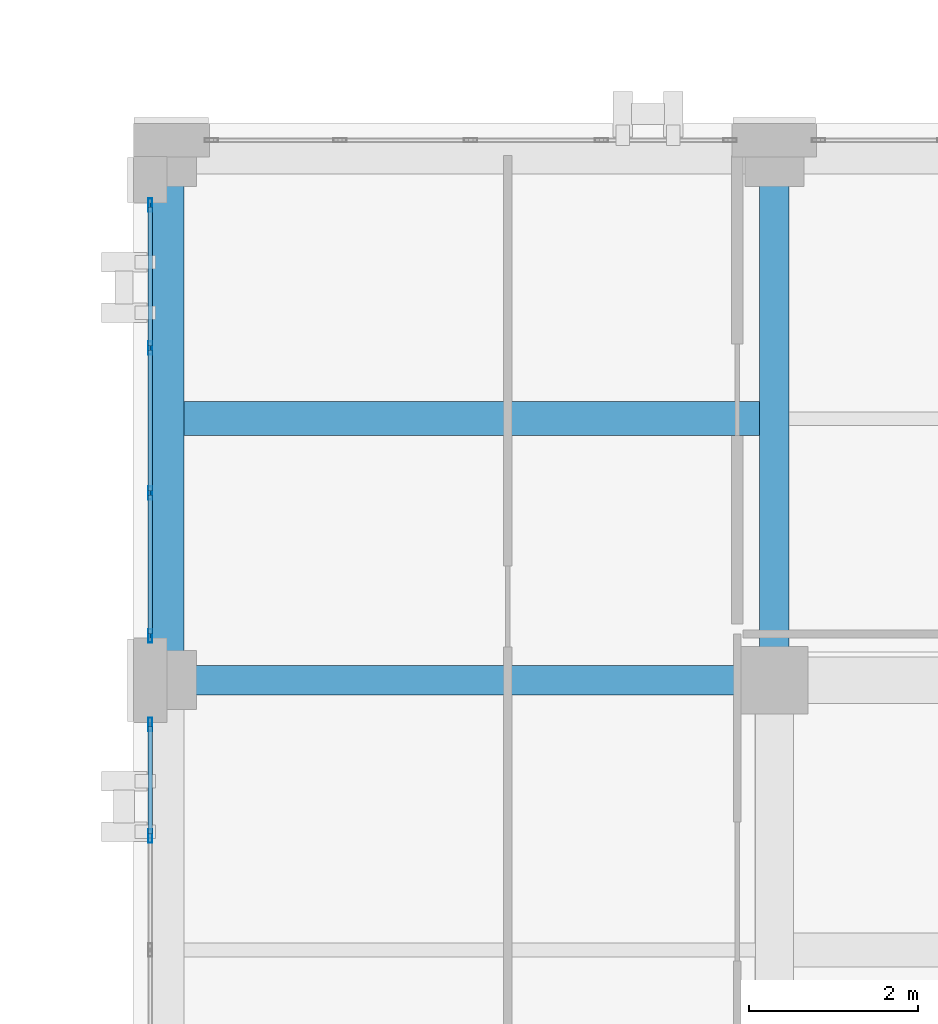
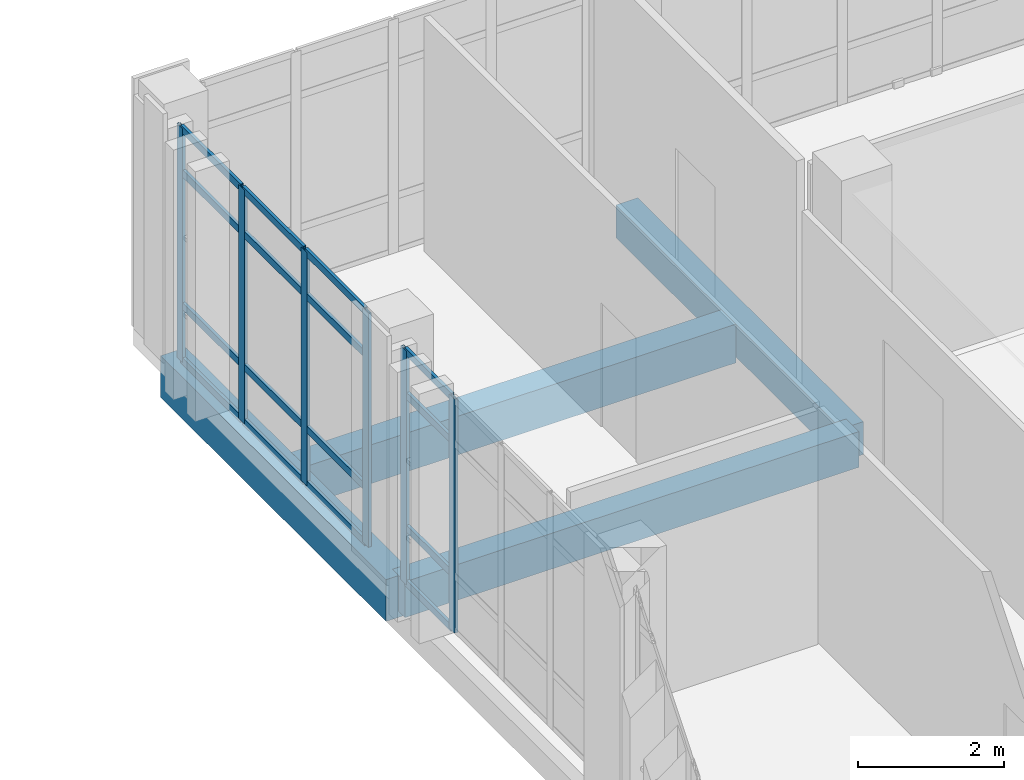
# One storey, part 100 of 158: 22 members, 4 beams, 2 elements without a shape of their own.
"""IFC4 building model written with IfcOpenShell, lengths in metres."""

from ifc_helpers import new_model, si_unit, direction, frame, origin, origin_2d, place, context, subcontext, project, spatial, rectangle, hollow_rectangle, extrude, material, layer, layer_set, material_profile, profile_set, type_object, element, aggregate, save


model = new_model("IFC4")

# Units and contexts
model_context = context("Model", 3, precision=1e-05, world=origin(), true_north=direction((0.0, 1.0)))
body_context = subcontext(model_context, "Body", "Model", "MODEL_VIEW")
ifc_project = project(units=[si_unit("LENGTHUNIT", "METRE"), si_unit("AREAUNIT", "SQUARE_METRE"), si_unit("VOLUMEUNIT", "CUBIC_METRE"), si_unit("PLANEANGLEUNIT", "RADIAN"), si_unit("MASSUNIT", "GRAM", prefix="KILO")], contexts=[model_context])

# Site, building, storey
site_placement = place(None, origin())
site = spatial("IfcSite", under=ifc_project, at=site_placement, CompositionType="ELEMENT")
building_placement = place(site_placement, origin())
building = spatial("IfcBuilding", under=site, at=building_placement, Name="Qalavern Law Courts", CompositionType="ELEMENT")
storey_placement = place(building_placement, frame((0.0, 0.0, 18.60009765625)))
storey = spatial("IfcBuildingStorey", under=building, at=storey_placement, Name="L04", CompositionType="ELEMENT", Elevation=18.60009765625)

# Curtain wall, members
ifc_material_1 = material(Name="Anodised aluminium and insulated glazing", Category="aluminium")
ifc_layer = layer(ifc_material_1, 0.159912109375)
ifc_layer_set = layer_set([ifc_layer], Name="Anodised aluminium and insulated glazing")
curtain_wall_type = type_object("IfcCurtainWallType", Name="ENV-CW-CHAMB", PredefinedType="USERDEFINED", material=ifc_layer_set)
curtain_wall_1_placement = place(storey_placement, origin())
curtain_wall_1 = element("IfcCurtainWall", 1, at=curtain_wall_1_placement, inside=storey, type_object=curtain_wall_type, Name="V4 unitised curtain wall L04 west 1", ObjectType="UNITISED CURTAIN WALL", PredefinedType="USERDEFINED")
ifc_material_2 = material(Name="Anodised aluminium", Category="aluminium")
ifc_material_profile_1 = material_profile(ifc_material_2, hollow_rectangle(XDim=0.048095703125, YDim=0.159912109375, WallThickness=0.00390625, at=origin_2d()), Name="ALU MULLION 48x160")
ifc_profile_set_1 = profile_set([ifc_material_profile_1], Name="Anodised aluminium")
member_type_1 = type_object("IfcMemberType", Name="ENV-CWM-48x160", PredefinedType="MULLION", material=ifc_profile_set_1)
member_1_placement = place(storey_placement, frame((84.39990234375, 84.8310546875, 0.0), z_axis=(0.0, 0.0, 1.0), x_axis=(1.0, 0.0, 0.0)))
member_1 = element("IfcMember", 2, at=member_1_placement, type_object=member_type_1, Name="CW-04 mullion 1", PredefinedType="MULLION", context=body_context, shape_type="SweptSolid", body=[
    extrude(hollow_rectangle(XDim=0.048095703125, YDim=0.159912109375, WallThickness=0.00390625, at=origin_2d()), origin(), (0.0, 0.0, 1.0), 3.9248046875),
])
member_2_placement = place(storey_placement, frame((84.39990234375, 83.13671875, 0.0), z_axis=(0.0, 0.0, 1.0), x_axis=(1.0, 0.0, 0.0)))
member_2 = element("IfcMember", 3, at=member_2_placement, type_object=member_type_1, Name="CW-04 mullion 2", PredefinedType="MULLION", context=body_context, shape_type="SweptSolid", body=[
    extrude(hollow_rectangle(XDim=0.048095703125, YDim=0.159912109375, WallThickness=0.00390625, at=origin_2d()), origin(), (0.0, 0.0, 1.0), 3.9248046875),
])
member_3_placement = place(storey_placement, frame((84.39990234375, 81.418212890625, 0.0), z_axis=(0.0, 0.0, 1.0), x_axis=(1.0, 0.0, 0.0)))
member_3 = element("IfcMember", 4, at=member_3_placement, type_object=member_type_1, Name="CW-04 mullion 3", PredefinedType="MULLION", context=body_context, shape_type="SweptSolid", body=[
    extrude(hollow_rectangle(XDim=0.048095703125, YDim=0.159912109375, WallThickness=0.00390625, at=origin_2d()), origin(), (0.0, 0.0, 1.0), 3.9248046875),
])
member_4_placement = place(storey_placement, frame((84.39990234375, 79.72412109375, 0.0), z_axis=(0.0, 0.0, 1.0), x_axis=(1.0, 0.0, 0.0)))
member_4 = element("IfcMember", 5, at=member_4_placement, type_object=member_type_1, Name="CW-04 mullion 4", PredefinedType="MULLION", context=body_context, shape_type="SweptSolid", body=[
    extrude(hollow_rectangle(XDim=0.048095703125, YDim=0.159912109375, WallThickness=0.00390625, at=origin_2d()), origin(), (0.0, 0.0, 1.0), 3.9248046875),
])

curtain_wall_2_placement = place(storey_placement, origin())
curtain_wall_2 = element("IfcCurtainWall", 6, at=curtain_wall_2_placement, inside=storey, type_object=curtain_wall_type, Name="V4 unitised curtain wall L04 west 2", ObjectType="UNITISED CURTAIN WALL", PredefinedType="USERDEFINED")
member_5_placement = place(storey_placement, frame((84.39990234375, 78.676025390625, 0.0), z_axis=(0.0, 0.0, 1.0), x_axis=(1.0, 0.0, 0.0)))
member_5 = element("IfcMember", 7, at=member_5_placement, type_object=member_type_1, Name="CW-04 mullion 1", PredefinedType="MULLION", context=body_context, shape_type="SweptSolid", body=[
    extrude(hollow_rectangle(XDim=0.048095703125, YDim=0.159912109375, WallThickness=0.00390625, at=origin_2d()), origin(), (0.0, 0.0, 1.0), 3.9248046875),
])
member_6_placement = place(storey_placement, frame((84.39990234375, 77.35009765625, 0.0), z_axis=(0.0, 0.0, 1.0), x_axis=(1.0, 0.0, 0.0)))
member_6 = element("IfcMember", 8, at=member_6_placement, type_object=member_type_1, Name="CW-04 mullion 2", PredefinedType="MULLION", context=body_context, shape_type="SweptSolid", body=[
    extrude(hollow_rectangle(XDim=0.048095703125, YDim=0.159912109375, WallThickness=0.00390625, at=origin_2d()), origin(), (0.0, 0.0, 1.0), 3.9248046875),
])

# Member
ifc_material_profile_2 = material_profile(ifc_material_2, hollow_rectangle(XDim=0.048095703125, YDim=0.1201171875, WallThickness=0.00390625, at=origin_2d()), Name="ALU TRANSOM 48x120")
ifc_profile_set_2 = profile_set([ifc_material_profile_2], Name="Anodised aluminium")
member_type_2 = type_object("IfcMemberType", Name="ENV-CWT-48x120", PredefinedType="USERDEFINED", material=ifc_profile_set_2)
member_7_placement = place(storey_placement, frame((84.39990234375, 84.806884765625, 0.02392578125), z_axis=(0.0, -1.0, 0.0), x_axis=(1.0, 0.0, 0.0)))
member_7 = element("IfcMember", 9, at=member_7_placement, type_object=member_type_2, Name="CW-04 transom 1.1", ObjectType="TRANSOM", PredefinedType="USERDEFINED", context=body_context, shape_type="SweptSolid", body=[
    extrude(hollow_rectangle(XDim=0.048095703125, YDim=0.1201171875, WallThickness=0.00390625, at=origin_2d()), origin(), (0.0, 0.0, 1.0), 1.646240234375),
])

member_8_placement = place(storey_placement, frame((84.39990234375, 84.806884765625, 0.949951171875), z_axis=(0.0, -1.0, 0.0), x_axis=(1.0, 0.0, 0.0)))
member_8 = element("IfcMember", 10, at=member_8_placement, type_object=member_type_2, Name="CW-04 transom 1.2", ObjectType="TRANSOM", PredefinedType="USERDEFINED", context=body_context, shape_type="SweptSolid", body=[
    extrude(hollow_rectangle(XDim=0.048095703125, YDim=0.1201171875, WallThickness=0.00390625, at=origin_2d()), origin(), (0.0, 0.0, 1.0), 1.646240234375),
])

member_9_placement = place(storey_placement, frame((84.39990234375, 84.806884765625, 3.1748046875), z_axis=(0.0, -1.0, 0.0), x_axis=(1.0, 0.0, 0.0)))
member_9 = element("IfcMember", 11, at=member_9_placement, type_object=member_type_2, Name="CW-04 transom 1.3", ObjectType="TRANSOM", PredefinedType="USERDEFINED", context=body_context, shape_type="SweptSolid", body=[
    extrude(hollow_rectangle(XDim=0.048095703125, YDim=0.1201171875, WallThickness=0.00390625, at=origin_2d()), origin(), (0.0, 0.0, 1.0), 1.646240234375),
])

member_10_placement = place(storey_placement, frame((84.39990234375, 84.806884765625, 3.90087890625), z_axis=(0.0, -1.0, 0.0), x_axis=(1.0, 0.0, 0.0)))
member_10 = element("IfcMember", 12, at=member_10_placement, type_object=member_type_2, Name="CW-04 transom 1.4", ObjectType="TRANSOM", PredefinedType="USERDEFINED", context=body_context, shape_type="SweptSolid", body=[
    extrude(hollow_rectangle(XDim=0.048095703125, YDim=0.1201171875, WallThickness=0.00390625, at=origin_2d()), origin(), (0.0, 0.0, 1.0), 1.646240234375),
])

member_11_placement = place(storey_placement, frame((84.39990234375, 83.112548828125, 0.02392578125), z_axis=(0.0, -1.0, 0.0), x_axis=(1.0, 0.0, 0.0)))
member_11 = element("IfcMember", 13, at=member_11_placement, type_object=member_type_2, Name="CW-04 transom 2.1", ObjectType="TRANSOM", PredefinedType="USERDEFINED", context=body_context, shape_type="SweptSolid", body=[
    extrude(hollow_rectangle(XDim=0.048095703125, YDim=0.1201171875, WallThickness=0.00390625, at=origin_2d()), origin(), (0.0, 0.0, 1.0), 1.670166015625),
])

member_12_placement = place(storey_placement, frame((84.39990234375, 83.112548828125, 0.949951171875), z_axis=(0.0, -1.0, 0.0), x_axis=(1.0, 0.0, 0.0)))
member_12 = element("IfcMember", 14, at=member_12_placement, type_object=member_type_2, Name="CW-04 transom 2.2", ObjectType="TRANSOM", PredefinedType="USERDEFINED", context=body_context, shape_type="SweptSolid", body=[
    extrude(hollow_rectangle(XDim=0.048095703125, YDim=0.1201171875, WallThickness=0.00390625, at=origin_2d()), origin(), (0.0, 0.0, 1.0), 1.670166015625),
])

member_13_placement = place(storey_placement, frame((84.39990234375, 83.112548828125, 3.1748046875), z_axis=(0.0, -1.0, 0.0), x_axis=(1.0, 0.0, 0.0)))
member_13 = element("IfcMember", 15, at=member_13_placement, type_object=member_type_2, Name="CW-04 transom 2.3", ObjectType="TRANSOM", PredefinedType="USERDEFINED", context=body_context, shape_type="SweptSolid", body=[
    extrude(hollow_rectangle(XDim=0.048095703125, YDim=0.1201171875, WallThickness=0.00390625, at=origin_2d()), origin(), (0.0, 0.0, 1.0), 1.670166015625),
])

member_14_placement = place(storey_placement, frame((84.39990234375, 83.112548828125, 3.90087890625), z_axis=(0.0, -1.0, 0.0), x_axis=(1.0, 0.0, 0.0)))
member_14 = element("IfcMember", 16, at=member_14_placement, type_object=member_type_2, Name="CW-04 transom 2.4", ObjectType="TRANSOM", PredefinedType="USERDEFINED", context=body_context, shape_type="SweptSolid", body=[
    extrude(hollow_rectangle(XDim=0.048095703125, YDim=0.1201171875, WallThickness=0.00390625, at=origin_2d()), origin(), (0.0, 0.0, 1.0), 1.670166015625),
])

member_15_placement = place(storey_placement, frame((84.39990234375, 81.394287109375, 0.02392578125), z_axis=(0.0, -1.0, 0.0), x_axis=(1.0, 0.0, 0.0)))
member_15 = element("IfcMember", 17, at=member_15_placement, type_object=member_type_2, Name="CW-04 transom 3.1", ObjectType="TRANSOM", PredefinedType="USERDEFINED", context=body_context, shape_type="SweptSolid", body=[
    extrude(hollow_rectangle(XDim=0.048095703125, YDim=0.1201171875, WallThickness=0.00390625, at=origin_2d()), origin(), (0.0, 0.0, 1.0), 1.646240234375),
])

member_16_placement = place(storey_placement, frame((84.39990234375, 81.394287109375, 0.949951171875), z_axis=(0.0, -1.0, 0.0), x_axis=(1.0, 0.0, 0.0)))
member_16 = element("IfcMember", 18, at=member_16_placement, type_object=member_type_2, Name="CW-04 transom 3.2", ObjectType="TRANSOM", PredefinedType="USERDEFINED", context=body_context, shape_type="SweptSolid", body=[
    extrude(hollow_rectangle(XDim=0.048095703125, YDim=0.1201171875, WallThickness=0.00390625, at=origin_2d()), origin(), (0.0, 0.0, 1.0), 1.646240234375),
])

member_17_placement = place(storey_placement, frame((84.39990234375, 81.394287109375, 3.1748046875), z_axis=(0.0, -1.0, 0.0), x_axis=(1.0, 0.0, 0.0)))
member_17 = element("IfcMember", 19, at=member_17_placement, type_object=member_type_2, Name="CW-04 transom 3.3", ObjectType="TRANSOM", PredefinedType="USERDEFINED", context=body_context, shape_type="SweptSolid", body=[
    extrude(hollow_rectangle(XDim=0.048095703125, YDim=0.1201171875, WallThickness=0.00390625, at=origin_2d()), origin(), (0.0, 0.0, 1.0), 1.646240234375),
])

member_18_placement = place(storey_placement, frame((84.39990234375, 81.394287109375, 3.90087890625), z_axis=(0.0, -1.0, 0.0), x_axis=(1.0, 0.0, 0.0)))
member_18 = element("IfcMember", 20, at=member_18_placement, type_object=member_type_2, Name="CW-04 transom 3.4", ObjectType="TRANSOM", PredefinedType="USERDEFINED", context=body_context, shape_type="SweptSolid", body=[
    extrude(hollow_rectangle(XDim=0.048095703125, YDim=0.1201171875, WallThickness=0.00390625, at=origin_2d()), origin(), (0.0, 0.0, 1.0), 1.646240234375),
])

aggregate(curtain_wall_1, [member_1, member_2, member_3, member_4, member_7, member_8, member_9, member_10, member_11, member_12, member_13, member_14, member_15, member_16, member_17, member_18])

member_19_placement = place(storey_placement, frame((84.39990234375, 78.652099609375, 0.02392578125), z_axis=(0.0, -1.0, 0.0), x_axis=(1.0, 0.0, 0.0)))
member_19 = element("IfcMember", 21, at=member_19_placement, type_object=member_type_2, Name="CW-04 transom 1.1", ObjectType="TRANSOM", PredefinedType="USERDEFINED", context=body_context, shape_type="SweptSolid", body=[
    extrude(hollow_rectangle(XDim=0.048095703125, YDim=0.1201171875, WallThickness=0.00390625, at=origin_2d()), origin(), (0.0, 0.0, 1.0), 1.278076171875),
])

member_20_placement = place(storey_placement, frame((84.39990234375, 78.652099609375, 0.949951171875), z_axis=(0.0, -1.0, 0.0), x_axis=(1.0, 0.0, 0.0)))
member_20 = element("IfcMember", 22, at=member_20_placement, type_object=member_type_2, Name="CW-04 transom 1.2", ObjectType="TRANSOM", PredefinedType="USERDEFINED", context=body_context, shape_type="SweptSolid", body=[
    extrude(hollow_rectangle(XDim=0.048095703125, YDim=0.1201171875, WallThickness=0.00390625, at=origin_2d()), origin(), (0.0, 0.0, 1.0), 1.278076171875),
])

member_21_placement = place(storey_placement, frame((84.39990234375, 78.652099609375, 3.1748046875), z_axis=(0.0, -1.0, 0.0), x_axis=(1.0, 0.0, 0.0)))
member_21 = element("IfcMember", 23, at=member_21_placement, type_object=member_type_2, Name="CW-04 transom 1.3", ObjectType="TRANSOM", PredefinedType="USERDEFINED", context=body_context, shape_type="SweptSolid", body=[
    extrude(hollow_rectangle(XDim=0.048095703125, YDim=0.1201171875, WallThickness=0.00390625, at=origin_2d()), origin(), (0.0, 0.0, 1.0), 1.278076171875),
])

member_22_placement = place(storey_placement, frame((84.39990234375, 78.652099609375, 3.90087890625), z_axis=(0.0, -1.0, 0.0), x_axis=(1.0, 0.0, 0.0)))
member_22 = element("IfcMember", 24, at=member_22_placement, type_object=member_type_2, Name="CW-04 transom 1.4", ObjectType="TRANSOM", PredefinedType="USERDEFINED", context=body_context, shape_type="SweptSolid", body=[
    extrude(hollow_rectangle(XDim=0.048095703125, YDim=0.1201171875, WallThickness=0.00390625, at=origin_2d()), origin(), (0.0, 0.0, 1.0), 1.278076171875),
])

aggregate(curtain_wall_2, [member_5, member_6, member_19, member_20, member_21, member_22])

# Beams
ifc_material_3 = material(Name="Concrete C35/45", Category="concrete")
ifc_material_profile_3 = material_profile(ifc_material_3, rectangle(XDim=0.35009765625, YDim=0.550048828125, at=origin_2d()), Name="RC 350x550")
ifc_profile_set_3 = profile_set([ifc_material_profile_3], Name="Concrete C35/45")
beam_type_1 = type_object("IfcBeamType", Name="STR-BM-RC350x550", PredefinedType="BEAM", material=ifc_profile_set_3)
beam_1_placement = place(storey_placement, frame((91.800048828125, 79.199951171875, -0.55517578125), z_axis=(0.0, 1.0, 0.0), x_axis=(-1.0, 0.0, 0.0)))
element("IfcBeam", 25, at=beam_1_placement, inside=storey, type_object=beam_type_1, Name="V4 Y-beam 2-5 L04", PredefinedType="BEAM", context=body_context, shape_type="SweptSolid", body=[
    extrude(rectangle(XDim=0.35009765625, YDim=0.550048828125, at=origin_2d()), origin(), (0.0, 0.0, 1.0), 6.199951171875),
])
ifc_material_profile_4 = material_profile(ifc_material_3, rectangle(XDim=0.35009765625, YDim=0.60009765625, at=origin_2d()), Name="RC 350x600")
ifc_profile_set_4 = profile_set([ifc_material_profile_4], Name="Concrete C35/45")
beam_type_2 = type_object("IfcBeamType", Name="STR-BM-RC350x600", PredefinedType="BEAM", material=ifc_profile_set_4)
beam_2_placement = place(storey_placement, frame((84.60009765625, 79.199951171875, -0.580078125), z_axis=(1.0, 0.0, 0.0), x_axis=(0.0, 1.0, 0.0)))
element("IfcBeam", 26, at=beam_2_placement, inside=storey, type_object=beam_type_2, Name="V4 X-beam 6-1 L04", PredefinedType="BEAM", context=body_context, shape_type="SweptSolid", body=[
    extrude(rectangle(XDim=0.35009765625, YDim=0.60009765625, at=origin_2d()), origin(), (0.0, 0.0, 1.0), 7.199951171875),
])
ifc_material_profile_5 = material_profile(ifc_material_3, rectangle(XDim=0.39990234375, YDim=0.64990234375, at=origin_2d()), Name="RC 400x650")
ifc_profile_set_5 = profile_set([ifc_material_profile_5], Name="Concrete C35/45")
beam_type_3 = type_object("IfcBeamType", Name="STR-JST-RC400x650", PredefinedType="JOIST", material=ifc_profile_set_5)
beam_3_placement = place(storey_placement, frame((84.798095703125, 82.300048828125, -0.60498046875), z_axis=(1.0, 0.0, 0.0), x_axis=(0.0, 1.0, 0.0)))
element("IfcBeam", 27, at=beam_3_placement, inside=storey, type_object=beam_type_3, Name="V4 secondary joist 1.6.1 L04", PredefinedType="JOIST", context=body_context, shape_type="SweptSolid", body=[
    extrude(rectangle(XDim=0.39990234375, YDim=0.64990234375, at=origin_2d()), origin(), (0.0, 0.0, 1.0), 6.828857421875),
])
ifc_material_4 = material(Name="Concrete C40/50", Category="concrete")
ifc_material_profile_6 = material_profile(ifc_material_4, rectangle(XDim=0.39990234375, YDim=0.699951171875, at=origin_2d()), Name="RC 400x700")
ifc_profile_set_6 = profile_set([ifc_material_profile_6], Name="Concrete C40/50")
beam_type_4 = type_object("IfcBeamType", Name="STR-SP-RC400x700", PredefinedType="SPANDREL", material=ifc_profile_set_6)
beam_4_placement = place(storey_placement, frame((84.60009765625, 79.199951171875, -0.630126953125), z_axis=(0.0, 1.0, 0.0), x_axis=(-1.0, 0.0, 0.0)))
element("IfcBeam", 28, at=beam_4_placement, inside=storey, type_object=beam_type_4, Name="V4 Y-beam 1-6 L04", PredefinedType="SPANDREL", context=body_context, shape_type="SweptSolid", body=[
    extrude(rectangle(XDim=0.39990234375, YDim=0.699951171875, at=origin_2d()), origin(), (0.0, 0.0, 1.0), 6.199951171875),
])

save(model, "model.ifc")
